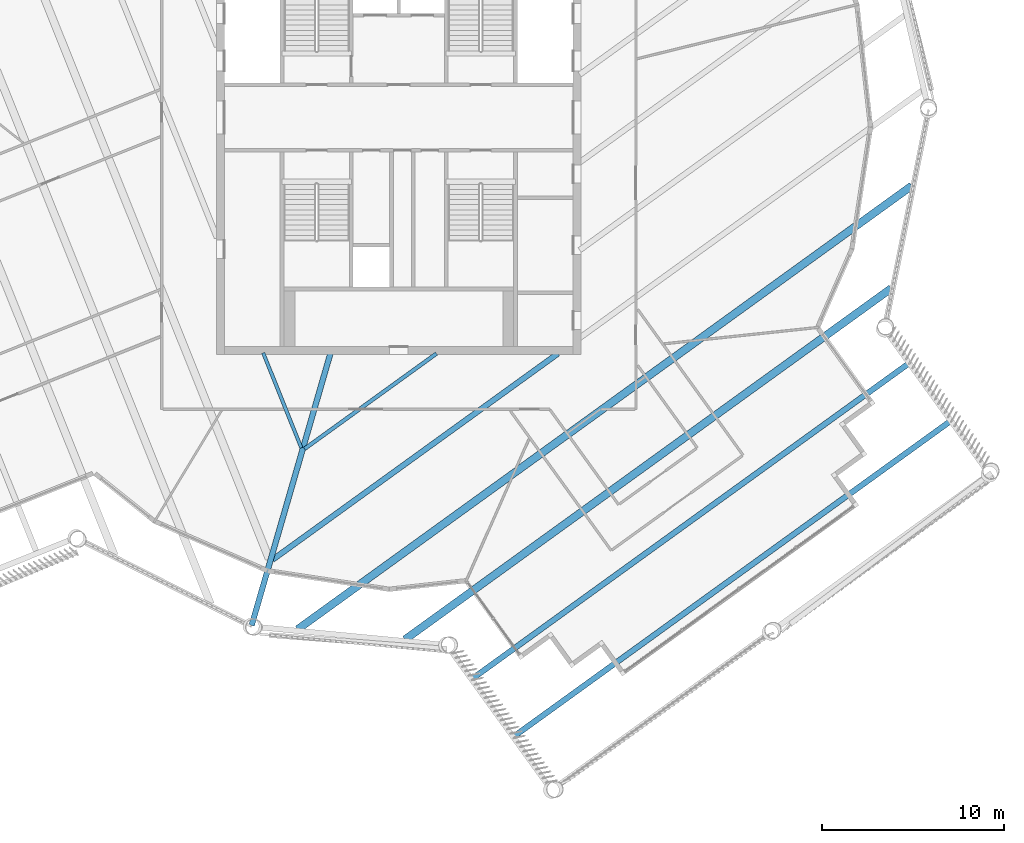
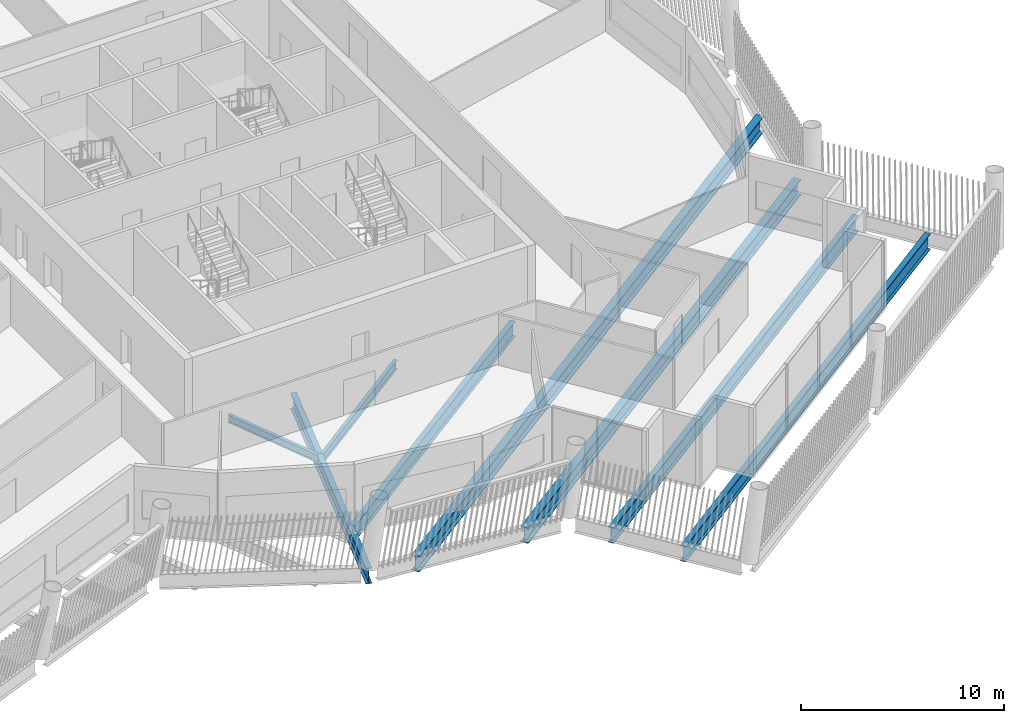
# One storey, part 10 of 27: 8 beams.
"""IFC4 building model written with IfcOpenShell, lengths in metres."""

from ifc_helpers import new_model, si_unit, direction, frame, origin, origin_2d, place, context, subcontext, project, spatial, i_section, extrude, material, material_profile, profile_set, type_object, element, save


model = new_model("IFC4")

# Units and contexts
model_context = context("Model", 3, precision=1e-05, world=origin(), true_north=direction((0.0, 1.0)))
body_context = subcontext(model_context, "Body", "Model", "MODEL_VIEW")
ifc_project = project(units=[si_unit("LENGTHUNIT", "METRE"), si_unit("AREAUNIT", "SQUARE_METRE"), si_unit("VOLUMEUNIT", "CUBIC_METRE"), si_unit("PLANEANGLEUNIT", "RADIAN"), si_unit("MASSUNIT", "GRAM", prefix="KILO")], contexts=[model_context])

# Site, building, storey
site_placement = place(None, origin())
site = spatial("IfcSite", under=ifc_project, at=site_placement, CompositionType="ELEMENT")
building_placement = place(site_placement, origin())
building = spatial("IfcBuilding", under=site, at=building_placement, Name="Tarsis Ring Headquarters", CompositionType="ELEMENT")
storey_placement = place(building_placement, frame((0.0, 0.0, 373.39990234375)))
storey = spatial("IfcBuildingStorey", under=building, at=storey_placement, Name="L88", CompositionType="ELEMENT", Elevation=373.39990234375)

# Beams
ifc_material = material(Name="Structural steel S355", Category="steel")
ifc_material_profile_1 = material_profile(ifc_material, i_section(OverallWidth=0.1904296875, OverallDepth=0.457275390625, WebThickness=0.009033203125, FlangeThickness=0.014404296875, at=origin_2d()), Name="W18x50")
ifc_profile_set_1 = profile_set([ifc_material_profile_1], Name="Structural steel S355")
beam_type_1 = type_object("IfcBeamType", Name="FB Floor beam W18x50", PredefinedType="JOIST", material=ifc_profile_set_1)
beam_1_placement = place(storey_placement, frame((-7.431640625, -12.9072265625, -0.388427734375), z_axis=(0.371991126772, -0.928236285438, 0.0), x_axis=(0.928236285438, 0.371991126772, 0.0)))
element("IfcBeam", 1, at=beam_1_placement, inside=storey, type_object=beam_type_1, Name="Floor beam FB2", PredefinedType="JOIST", context=body_context, shape_type="SweptSolid", body=[
    extrude(i_section(OverallWidth=0.1904296875, OverallDepth=0.457275390625, WebThickness=0.009033203125, FlangeThickness=0.014404296875, at=origin_2d()), origin(), (0.0, 0.0, 1.0), 5.607421875),
])
ifc_material_profile_2 = material_profile(ifc_material, i_section(OverallWidth=0.209228515625, OverallDepth=0.533447265625, WebThickness=0.01025390625, FlangeThickness=0.015625, at=origin_2d()), Name="W21x62")
ifc_profile_set_2 = profile_set([ifc_material_profile_2], Name="Structural steel S355")
beam_type_2 = type_object("IfcBeamType", Name="FB Floor beam W21x62", PredefinedType="JOIST", material=ifc_profile_set_2)
beam_2_placement = place(storey_placement, frame((-5.166259765625, -18.164306640625, -0.426513671875), z_axis=(0.810650358246, 0.585530525827, 0.0), x_axis=(-0.585530525827, 0.810650358246, 0.0)))
element("IfcBeam", 2, at=beam_2_placement, inside=storey, type_object=beam_type_2, Name="Floor beam FB3", PredefinedType="JOIST", context=body_context, shape_type="SweptSolid", body=[
    extrude(i_section(OverallWidth=0.209228515625, OverallDepth=0.533447265625, WebThickness=0.01025390625, FlangeThickness=0.015625, at=origin_2d()), origin(), (0.0, 0.0, 1.0), 8.919921875),
])
ifc_material_profile_3 = material_profile(ifc_material, i_section(OverallWidth=0.3046875, OverallDepth=0.904296875, WebThickness=0.01513671875, FlangeThickness=0.02001953125, at=origin_2d()), Name="W36x135")
ifc_profile_set_3 = profile_set([ifc_material_profile_3], Name="Structural steel S355")
beam_type_3 = type_object("IfcBeamType", Name="FB Floor beam W36x135", PredefinedType="JOIST", material=ifc_profile_set_3)
beam_3_placement = place(storey_placement, frame((-6.92919921875, -24.24853515625, -0.612060546875), z_axis=(0.810652891073, 0.585527019185, 0.0), x_axis=(-0.585527019185, 0.810652891073, 0.0)))
element("IfcBeam", 3, at=beam_3_placement, inside=storey, type_object=beam_type_3, Name="Floor beam FB8", PredefinedType="JOIST", context=body_context, shape_type="SweptSolid", body=[
    extrude(i_section(OverallWidth=0.3046875, OverallDepth=0.904296875, WebThickness=0.01513671875, FlangeThickness=0.02001953125, at=origin_2d()), origin(), (0.0, 0.0, 1.0), 19.31103515625),
])
ifc_material_profile_4 = material_profile(ifc_material, i_section(OverallWidth=0.309814453125, OverallDepth=0.949951171875, WebThickness=0.0244140625, FlangeThickness=0.0439453125, at=origin_2d()), Name="W36x256")
ifc_profile_set_4 = profile_set([ifc_material_profile_4], Name="Structural steel S355")
beam_type_4 = type_object("IfcBeamType", Name="FB Floor beam W36x256", PredefinedType="JOIST", material=ifc_profile_set_4)
for number, where, z_axis, x_axis, name in (
    (4, (4.029541015625, -30.765869140625, -0.635009765625), (0.810656746376, 0.585521681542, 0.0), (-0.585521681542, 0.810656746376, 0.0), "Floor beam FB11"),
    (5, (6.313232421875, -33.927490234375, -0.635009765625), (0.810656746376, 0.585521681542, 0.0), (-0.585521681542, 0.810656746376, 0.0), "Floor beam FB11"),
):
    element("IfcBeam", number, at=place(storey_placement, frame(where, z_axis=z_axis, x_axis=x_axis)), inside=storey, type_object=beam_type_4, Name=name, PredefinedType="JOIST", context=body_context, shape_type="SweptSolid", body=[
        extrude(i_section(OverallWidth=0.309814453125, OverallDepth=0.949951171875, WebThickness=0.0244140625, FlangeThickness=0.0439453125, at=origin_2d()), origin(), (0.0, 0.0, 1.0), 29.4951171875),
    ])
beam_type_5 = type_object("IfcBeamType", Name="FB Floor beam W36x256 spine", PredefinedType="BEAM", material=ifc_profile_set_4)
beam_4_placement = place(storey_placement, frame((-3.7392578125, -12.904052734375, -0.635009765625), z_axis=(-0.278323250249, -0.960487463932, 0.0), x_axis=(0.960487463932, -0.278323250249, 0.0)))
element("IfcBeam", 6, at=beam_4_placement, inside=storey, type_object=beam_type_5, Name="Floor beam SB11", PredefinedType="BEAM", context=body_context, shape_type="SweptSolid", body=[
    extrude(i_section(OverallWidth=0.309814453125, OverallDepth=0.949951171875, WebThickness=0.0244140625, FlangeThickness=0.0439453125, at=origin_2d()), origin(), (0.0, 0.0, 1.0), 15.55859375),
])
ifc_material_profile_5 = material_profile(ifc_material, i_section(OverallWidth=0.42431640625, OverallDepth=0.947509765625, WebThickness=0.02392578125, FlangeThickness=0.042724609375, at=origin_2d()), Name="W36x302")
ifc_profile_set_5 = profile_set([ifc_material_profile_5], Name="Structural steel S355")
beam_type_6 = type_object("IfcBeamType", Name="FB Floor beam W36x302", PredefinedType="JOIST", material=ifc_profile_set_5)
beam_5_placement = place(storey_placement, frame((-5.542236328125, -28.0576171875, -0.633544921875), z_axis=(0.810655821269, 0.585522962354, 0.0), x_axis=(-0.585522962354, 0.810655821269, 0.0)))
element("IfcBeam", 7, at=beam_5_placement, inside=storey, type_object=beam_type_6, Name="Floor beam FB12", PredefinedType="JOIST", context=body_context, shape_type="SweptSolid", body=[
    extrude(i_section(OverallWidth=0.42431640625, OverallDepth=0.947509765625, WebThickness=0.02392578125, FlangeThickness=0.042724609375, at=origin_2d()), origin(), (0.0, 0.0, 1.0), 41.531494140625),
])
beam_6_placement = place(storey_placement, frame((0.338134765625, -28.621337890625, -0.633544921875), z_axis=(0.810652993299, 0.585526877654, 0.0), x_axis=(-0.585526877654, 0.810652993299, 0.0)))
element("IfcBeam", 8, at=beam_6_placement, inside=storey, type_object=beam_type_6, Name="Floor beam FB12", PredefinedType="JOIST", context=body_context, shape_type="SweptSolid", body=[
    extrude(i_section(OverallWidth=0.42431640625, OverallDepth=0.947509765625, WebThickness=0.02392578125, FlangeThickness=0.042724609375, at=origin_2d()), origin(), (0.0, 0.0, 1.0), 32.883056640625),
])

save(model, "model.ifc")
